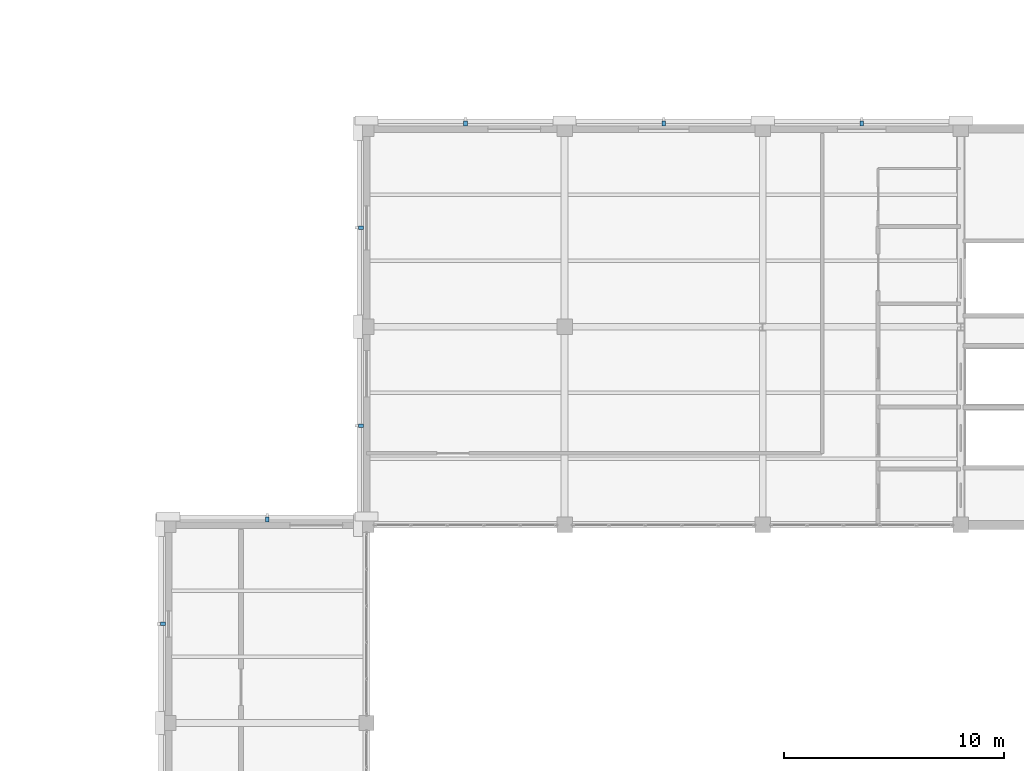
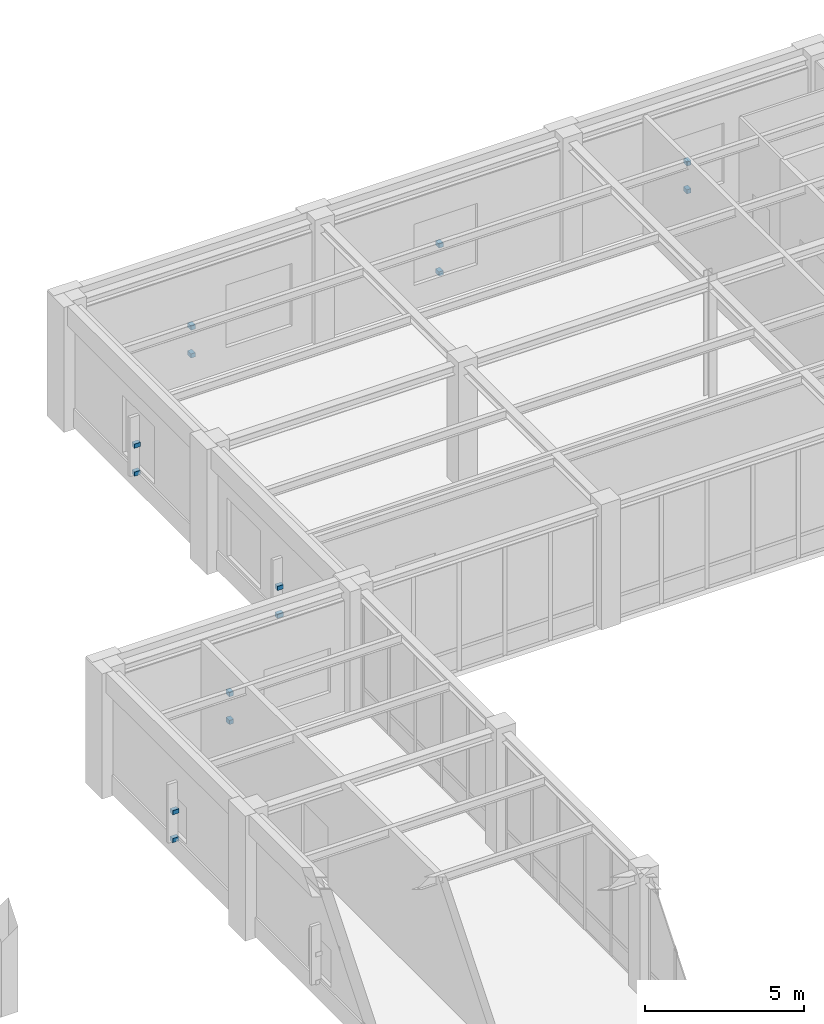
# One storey, part 90 of 98: 14 discrete accessories.
"""IFC4 building model written with IfcOpenShell, lengths in metres."""

from ifc_helpers import new_model, si_unit, direction, frame, origin, origin_2d, place, context, subcontext, project, spatial, rectangle, extrude, material, type_object, element, save


model = new_model("IFC4")

# Units and contexts
model_context = context("Model", 3, precision=1e-05, world=origin(), true_north=direction((0.0, 1.0)))
body_context = subcontext(model_context, "Body", "Model", "MODEL_VIEW")
ifc_project = project(units=[si_unit("LENGTHUNIT", "METRE"), si_unit("AREAUNIT", "SQUARE_METRE"), si_unit("VOLUMEUNIT", "CUBIC_METRE"), si_unit("PLANEANGLEUNIT", "RADIAN"), si_unit("MASSUNIT", "GRAM", prefix="KILO")], contexts=[model_context])

# Site, building, storey
site_placement = place(None, origin())
site = spatial("IfcSite", under=ifc_project, at=site_placement, CompositionType="ELEMENT")
building_placement = place(site_placement, origin())
building = spatial("IfcBuilding", under=site, at=building_placement, Name="Lykobir Media Centre", CompositionType="ELEMENT")
storey_placement = place(building_placement, frame((0.0, 0.0, 10.199951171875)))
storey = spatial("IfcBuildingStorey", under=building, at=storey_placement, Name="L02", CompositionType="ELEMENT", Elevation=10.199951171875)

# Discrete accessories
ifc_material = material(Name="Steel S355", Category="steel")
discrete_accessory_type = type_object("IfcDiscreteAccessoryType", Name="ACC-BRK", PredefinedType="BRACKET", material=ifc_material)
for number, where, z_axis, x_axis, name in (
    (1, (94.5, 72.2451171875, 0.7001953125), (0.0, 0.0, 1.0), (-1.0, 0.0, 0.0), "Cumba corbel bracket 17"),
    (2, (94.5, 72.2451171875, 1.77001953125), (0.0, 0.0, 1.0), (-1.0, 0.0, 0.0), "Shading fin bracket 18"),
    (3, (89.7548828125, 67.5, 0.7001953125), (0.0, 0.0, 1.0), (0.0, -1.0, 0.0), "Cumba corbel bracket 29"),
    (4, (89.7548828125, 67.5, 1.77001953125), (0.0, 0.0, 1.0), (0.0, -1.0, 0.0), "Shading fin bracket 30"),
    (5, (103.5, 90.2451171875, 0.7001953125), (0.0, 0.0, 1.0), (-1.0, 0.0, 0.0), "Cumba corbel bracket 41"),
    (6, (103.5, 90.2451171875, 1.77001953125), (0.0, 0.0, 1.0), (-1.0, 0.0, 0.0), "Shading fin bracket 42"),
    (7, (112.5, 90.2451171875, 0.7001953125), (0.0, 0.0, 1.0), (-1.0, 0.0, 0.0), "Cumba corbel bracket 43"),
    (8, (112.5, 90.2451171875, 1.77001953125), (0.0, 0.0, 1.0), (-1.0, 0.0, 0.0), "Shading fin bracket 44"),
    (9, (121.5, 90.2451171875, 0.7001953125), (0.0, 0.0, 1.0), (-1.0, 0.0, 0.0), "Cumba corbel bracket 45"),
    (10, (121.5, 90.2451171875, 1.77001953125), (0.0, 0.0, 1.0), (-1.0, 0.0, 0.0), "Shading fin bracket 46"),
    (11, (98.7548828125, 76.5, 0.7001953125), (0.0, 0.0, 1.0), (0.0, -1.0, 0.0), "Cumba corbel bracket 47"),
    (12, (98.7548828125, 76.5, 1.77001953125), (0.0, 0.0, 1.0), (0.0, -1.0, 0.0), "Shading fin bracket 48"),
    (13, (98.7548828125, 85.5, 0.7001953125), (0.0, 0.0, 1.0), (0.0, -1.0, 0.0), "Cumba corbel bracket 49"),
    (14, (98.7548828125, 85.5, 1.77001953125), (0.0, 0.0, 1.0), (0.0, -1.0, 0.0), "Shading fin bracket 50"),
):
    element("IfcDiscreteAccessory", number, at=place(storey_placement, frame(where, z_axis=z_axis, x_axis=x_axis)), inside=storey, type_object=discrete_accessory_type, Name=name, PredefinedType="BRACKET", context=body_context, shape_type="SweptSolid", body=[
        extrude(rectangle(XDim=0.159912109375, YDim=0.219970703125, at=origin_2d()), origin(), (0.0, 0.0, 1.0), 0.159912109375),
    ])

save(model, "model.ifc")
